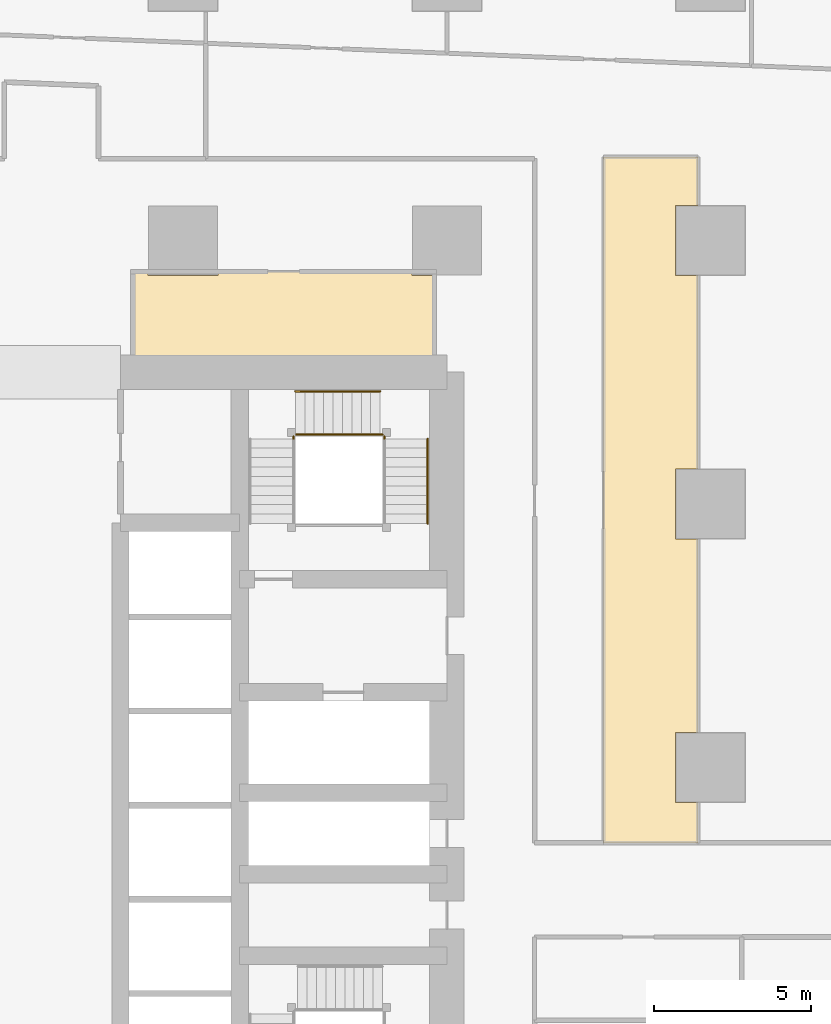
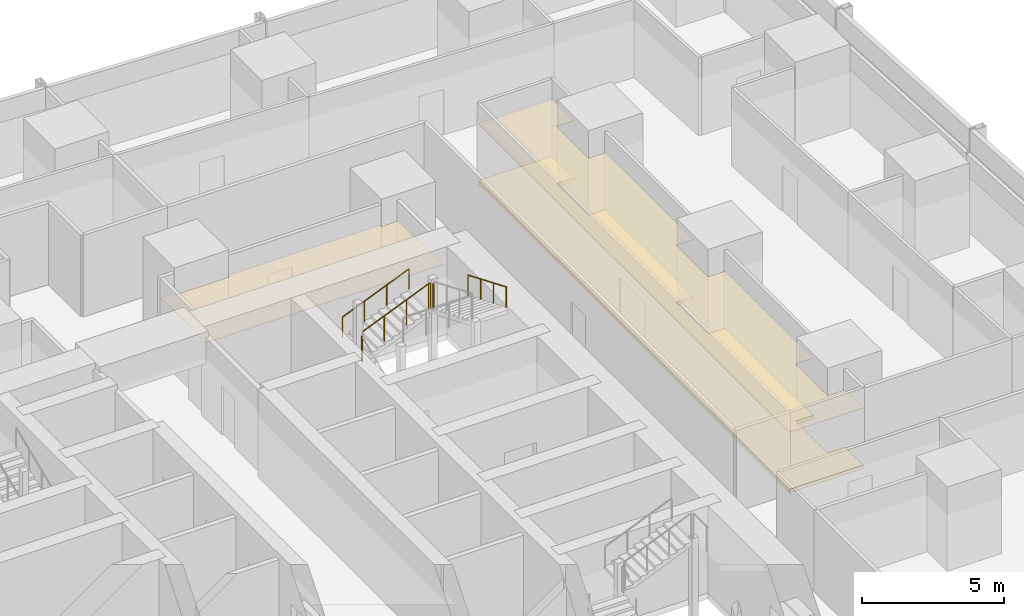
# One storey, part 41 of 42: 6 railings, 3 coverings.
"""IFC4 building model written with IfcOpenShell, lengths in metres."""

from ifc_helpers import new_model, si_unit, direction, frame, origin, origin_2d, place, context, subcontext, project, spatial, polyline, circle, outline, extrude, material, layer, layer_set, type_object, element, save


model = new_model("IFC4")

# Units and contexts
model_context = context("Model", 3, precision=1e-05, world=origin(), true_north=direction((0.0, 1.0)))
body_context = subcontext(model_context, "Body", "Model", "MODEL_VIEW")
ifc_project = project(units=[si_unit("LENGTHUNIT", "METRE"), si_unit("AREAUNIT", "SQUARE_METRE"), si_unit("VOLUMEUNIT", "CUBIC_METRE"), si_unit("PLANEANGLEUNIT", "RADIAN"), si_unit("MASSUNIT", "GRAM", prefix="KILO")], contexts=[model_context])

# Site, building, storey
site_placement = place(None, origin())
site = spatial("IfcSite", under=ifc_project, at=site_placement, CompositionType="ELEMENT")
building_placement = place(site_placement, origin())
building = spatial("IfcBuilding", under=site, at=building_placement, Name="Rekha Terrace Tower", CompositionType="ELEMENT")
storey_placement = place(building_placement, frame((0.0, 0.0, 55.39990234375)))
storey = spatial("IfcBuildingStorey", under=building, at=storey_placement, Name="L13", CompositionType="ELEMENT", Elevation=55.39990234375)

# Coverings
ifc_material_1 = material(Name="Mineral fibre tile in exposed grid", Category="finish")
ifc_layer_1 = layer(ifc_material_1, 0.02001953125)
ifc_layer_set_1 = layer_set([ifc_layer_1], Name="Mineral fibre tile in exposed grid")
covering_type_1 = type_object("IfcCoveringType", Name="CL1 600x1200 office grid ceiling", PredefinedType="CEILING", material=ifc_layer_set_1)
covering_1_placement = place(storey_placement, frame((0.0, 0.0, 2.580078125)))
element("IfcCovering", 1, at=covering_1_placement, inside=storey, type_object=covering_type_1, Name="Ceiling L13-12", PredefinedType="CEILING", context=body_context, shape_type="SweptSolid", body=[
    extrude(outline(polyline([(58.39990234375, 51.514892578125), (58.39990234375, 53.050048828125), (55.39990234375, 53.050048828125), (55.39990234375, 31.199951171875), (58.39990234375, 31.199951171875), (58.39990234375, 32.485107421875), (57.68505859375, 32.485107421875), (57.68505859375, 34.715087890625), (58.39990234375, 34.715087890625), (58.39990234375, 40.885009765625), (57.68505859375, 40.885009765625), (57.68505859375, 43.114990234375), (58.39990234375, 43.114990234375), (58.39990234375, 49.284912109375), (57.68505859375, 49.284912109375), (57.68505859375, 51.514892578125), (58.39990234375, 51.514892578125)])), origin(), (0.0, 0.0, 1.0), 0.02001953125),
])
ifc_material_2 = material(Name="Fibre cement board", Category="finish")
ifc_layer_2 = layer(ifc_material_2, 0.014892578125)
ifc_layer_set_2 = layer_set([ifc_layer_2], Name="Fibre cement board")
covering_type_2 = type_object("IfcCoveringType", Name="CL2 moisture-resistant board ceiling", PredefinedType="CEILING", material=ifc_layer_set_2)
covering_2_placement = place(storey_placement, frame((0.0, 0.0, 2.585205078125)))
element("IfcCovering", 2, at=covering_2_placement, inside=storey, type_object=covering_type_2, Name="Ceiling L13-WCF", PredefinedType="CEILING", context=body_context, shape_type="SweptSolid", body=[
    extrude(outline(polyline([(40.885009765625, 49.39990234375), (40.39990234375, 49.39990234375), (40.39990234375, 46.199951171875), (50.0, 46.199951171875), (50.0, 49.284912109375), (49.284912109375, 49.284912109375), (49.284912109375, 49.39990234375), (43.114990234375, 49.39990234375), (43.114990234375, 49.284912109375), (40.885009765625, 49.284912109375), (40.885009765625, 49.39990234375)])), origin(), (0.0, 0.0, 1.0), 0.014892578125),
])

# Railings
ifc_material_3 = material(Name="Stainless steel balustrade", Category="steel")
railing_type_1 = type_object("IfcRailingType", Name="GR1 1100 stair guard", PredefinedType="GUARDRAIL", material=ifc_material_3)
railing_1_placement = place(storey_placement, frame((45.574951171875, 44.2099609375, 1.375)))
element("IfcRailing", 3, at=railing_1_placement, inside=storey, type_object=railing_type_1, Name="Guard ST2 L13 flight 2", PredefinedType="GUARDRAIL", context=body_context, shape_type="SweptSolid", body=[
    extrude(circle(Radius=0.02392578125, at=origin_2d()), frame((0.0, 0.0, 1.076171875), z_axis=(0.923074453586, 0.0, 0.384621311341), x_axis=(0.0, 1.0, 0.0)), (0.0, 0.0, 1.0), 2.925048828125),
    extrude(circle(Radius=0.02099609375, at=origin_2d()), origin(), (0.0, 0.0, 1.0), 1.052001953125),
    extrude(circle(Radius=0.02099609375, at=origin_2d()), frame((0.89990234375, 0.0, 0.375)), (0.0, 0.0, 1.0), 1.052001953125),
    extrude(circle(Radius=0.02099609375, at=origin_2d()), frame((1.800048828125, 0.0, 0.75)), (0.0, 0.0, 1.0), 1.052001953125),
    extrude(circle(Radius=0.02099609375, at=origin_2d()), frame((2.699951171875, 0.0, 1.125)), (0.0, 0.0, 1.0), 1.052001953125),
])
railing_2_placement = place(storey_placement, frame((45.514892578125, 44.074951171875, 1.25)))
element("IfcRailing", 4, at=railing_2_placement, inside=storey, type_object=railing_type_1, Name="Guard ST2 L13 landing 1", PredefinedType="GUARDRAIL", context=body_context, shape_type="SweptSolid", body=[
    extrude(circle(Radius=0.02392578125, at=origin_2d()), frame((0.0, 0.0, 1.076171875), z_axis=(0.0, 1.0, 0.0), x_axis=(-1.0, 0.0, 0.0)), (0.0, 0.0, 1.0), 0.074951171875),
    extrude(circle(Radius=0.02099609375, at=origin_2d()), origin(), (0.0, 0.0, 1.0), 1.052001953125),
    extrude(circle(Radius=0.02099609375, at=origin_2d()), frame((0.0, 0.074951171875, 0.0)), (0.0, 0.0, 1.0), 1.052001953125),
])
railing_3_placement = place(storey_placement, frame((48.27490234375, 44.2099609375, 2.5)))
element("IfcRailing", 5, at=railing_3_placement, inside=storey, type_object=railing_type_1, Name="Guard ST2 L13 landing 2", PredefinedType="GUARDRAIL", context=body_context, shape_type="SweptSolid", body=[
    extrude(circle(Radius=0.02392578125, at=origin_2d()), frame((0.0, 0.0, 1.076171875), z_axis=(1.0, 0.0, 0.0), x_axis=(0.0, 1.0, 0.0)), (0.0, 0.0, 1.0), 0.0751953125),
    extrude(circle(Radius=0.02099609375, at=origin_2d()), origin(), (0.0, 0.0, 1.0), 1.052001953125),
    extrude(circle(Radius=0.02099609375, at=origin_2d()), frame((0.0751953125, 0.0, 0.0)), (0.0, 0.0, 1.0), 1.052001953125),
])
railing_4_placement = place(storey_placement, frame((48.409912109375, 44.074951171875, 2.5)))
element("IfcRailing", 6, at=railing_4_placement, inside=storey, type_object=railing_type_1, Name="Guard ST2 L13 landing 3", PredefinedType="GUARDRAIL", context=body_context, shape_type="SweptSolid", body=[
    extrude(circle(Radius=0.02392578125, at=origin_2d()), frame((0.0, 0.0, 1.076171875), z_axis=(0.0, 1.0, 0.0), x_axis=(-1.0, 0.0, 0.0)), (0.0, 0.0, 1.0), 0.074951171875),
    extrude(circle(Radius=0.02099609375, at=origin_2d()), origin(), (0.0, 0.0, 1.0), 1.052001953125),
    extrude(circle(Radius=0.02099609375, at=origin_2d()), frame((0.0, 0.074951171875, 0.0)), (0.0, 0.0, 1.0), 1.052001953125),
])
ifc_material_4 = material(Name="Stainless steel tube", Category="steel")
railing_type_2 = type_object("IfcRailingType", Name="HR1 900 stair handrail", PredefinedType="HANDRAIL", material=ifc_material_4)
railing_5_placement = place(storey_placement, frame((45.574951171875, 45.590087890625, 1.375)))
element("IfcRailing", 7, at=railing_5_placement, inside=storey, type_object=railing_type_2, Name="Handrail ST2 L13 flight 2", PredefinedType="HANDRAIL", context=body_context, shape_type="SweptSolid", body=[
    extrude(circle(Radius=0.02392578125, at=origin_2d()), frame((0.0, 0.0, 0.8759765625), z_axis=(0.923074453586, 0.0, 0.384621311341), x_axis=(0.0, 1.0, 0.0)), (0.0, 0.0, 1.0), 2.925048828125),
    extrude(circle(Radius=0.02099609375, at=origin_2d()), origin(), (0.0, 0.0, 1.0), 0.851806640625),
    extrude(circle(Radius=0.02099609375, at=origin_2d()), frame((0.89990234375, 0.0, 0.375)), (0.0, 0.0, 1.0), 0.851806640625),
    extrude(circle(Radius=0.02099609375, at=origin_2d()), frame((1.800048828125, 0.0, 0.75)), (0.0, 0.0, 1.0), 0.851806640625),
    extrude(circle(Radius=0.02099609375, at=origin_2d()), frame((2.699951171875, 0.0, 1.125)), (0.0, 0.0, 1.0), 0.851806640625),
])
railing_6_placement = place(storey_placement, frame((49.7900390625, 44.074951171875, 2.625)))
element("IfcRailing", 8, at=railing_6_placement, inside=storey, type_object=railing_type_2, Name="Handrail ST2 L13 flight 3", PredefinedType="HANDRAIL", context=body_context, shape_type="SweptSolid", body=[
    extrude(circle(Radius=0.02392578125, at=origin_2d()), frame((0.0, 0.0, 0.8759765625), z_axis=(0.0, -0.923074453586, 0.384621311341), x_axis=(1.0, 0.0, 0.0)), (0.0, 0.0, 1.0), 2.925048828125),
    extrude(circle(Radius=0.02099609375, at=origin_2d()), origin(), (0.0, 0.0, 1.0), 0.851806640625),
    extrude(circle(Radius=0.02099609375, at=origin_2d()), frame((0.0, -0.89990234375, 0.375)), (0.0, 0.0, 1.0), 0.851806640625),
    extrude(circle(Radius=0.02099609375, at=origin_2d()), frame((0.0, -1.800048828125, 0.75)), (0.0, 0.0, 1.0), 0.851806640625),
    extrude(circle(Radius=0.02099609375, at=origin_2d()), frame((0.0, -2.699951171875, 1.125)), (0.0, 0.0, 1.0), 0.851806640625),
])

# Covering
ifc_material_5 = material(Name="Calcium sulphate panels on steel pedestals", Category="steel")
ifc_layer_3 = layer(ifc_material_5, 0.14990234375)
ifc_layer_set_3 = layer_set([ifc_layer_3], Name="Calcium sulphate panels on steel pedestals")
covering_type_3 = type_object("IfcCoveringType", Name="RF1 150 raised access floor", PredefinedType="FLOORING", material=ifc_layer_set_3)
covering_3_placement = place(storey_placement, origin())
element("IfcCovering", 9, at=covering_3_placement, inside=storey, type_object=covering_type_3, Name="Raised floor L13-12", PredefinedType="FLOORING", context=body_context, shape_type="SweptSolid", body=[
    extrude(outline(polyline([(58.39990234375, 51.514892578125), (58.39990234375, 53.050048828125), (55.39990234375, 53.050048828125), (55.39990234375, 31.199951171875), (58.39990234375, 31.199951171875), (58.39990234375, 32.485107421875), (57.68505859375, 32.485107421875), (57.68505859375, 34.715087890625), (58.39990234375, 34.715087890625), (58.39990234375, 40.885009765625), (57.68505859375, 40.885009765625), (57.68505859375, 43.114990234375), (58.39990234375, 43.114990234375), (58.39990234375, 49.284912109375), (57.68505859375, 49.284912109375), (57.68505859375, 51.514892578125), (58.39990234375, 51.514892578125)])), origin(), (0.0, 0.0, 1.0), 0.150146484375),
])

save(model, "model.ifc")
